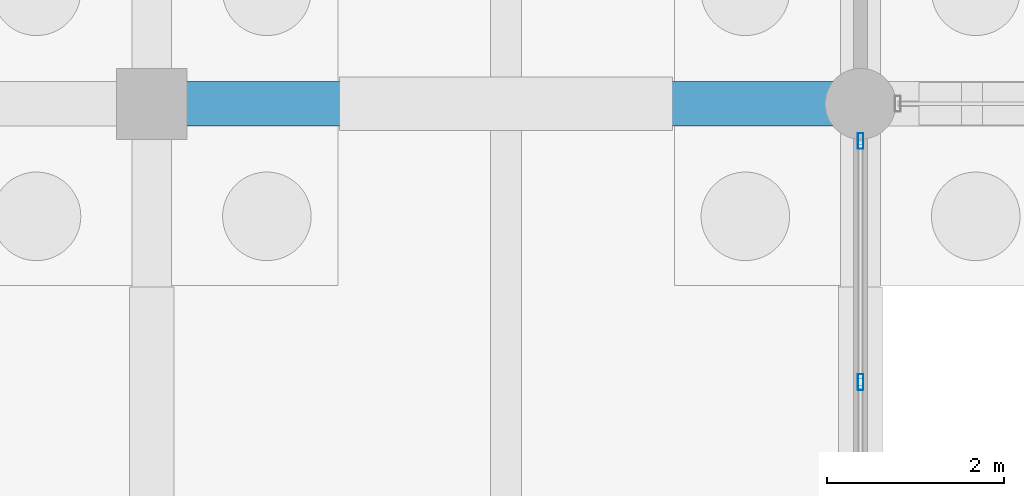
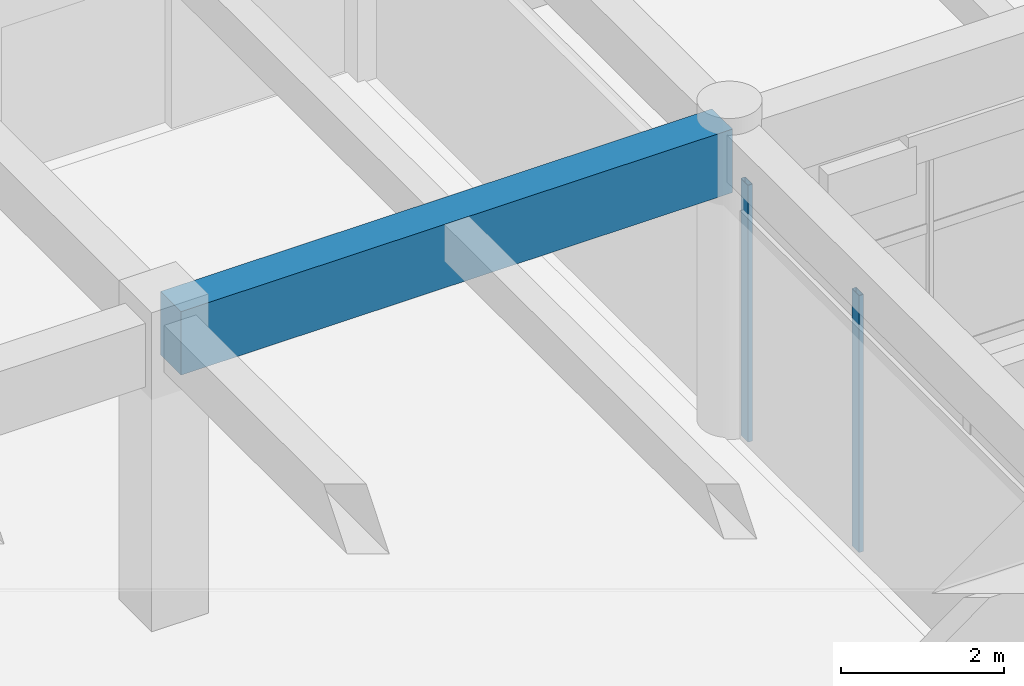
# One storey, part 37 of 147: 2 members, 1 beam, 1 element without a shape of its own.
"""IFC4 building model written with IfcOpenShell, lengths in metres."""

from ifc_helpers import new_model, si_unit, direction, frame, origin, origin_2d, place, context, subcontext, project, spatial, rectangle, hollow_rectangle, extrude, material, material_profile, profile_set, type_object, element, aggregate, save


model = new_model("IFC4")

# Units and contexts
model_context = context("Model", 3, precision=1e-05, world=origin(), true_north=direction((0.0, 1.0)))
body_context = subcontext(model_context, "Body", "Model", "MODEL_VIEW")
ifc_project = project(units=[si_unit("LENGTHUNIT", "METRE"), si_unit("AREAUNIT", "SQUARE_METRE"), si_unit("VOLUMEUNIT", "CUBIC_METRE"), si_unit("PLANEANGLEUNIT", "RADIAN"), si_unit("MASSUNIT", "GRAM", prefix="KILO")], contexts=[model_context])

# Site, building, storey
site_placement = place(None, origin())
site = spatial("IfcSite", under=ifc_project, at=site_placement, CompositionType="ELEMENT")
building_placement = place(site_placement, origin())
building = spatial("IfcBuilding", under=site, at=building_placement, Name="Varnabhumi Central Station", CompositionType="ELEMENT")
storey_placement = place(building_placement, origin())
storey = spatial("IfcBuildingStorey", under=building, at=storey_placement, Name="L00", CompositionType="ELEMENT", Elevation=0.0)

# Beam
ifc_material_1 = material(Name="Concrete M40", Category="concrete")
ifc_material_profile_1 = material_profile(ifc_material_1, rectangle(XDim=0.5, YDim=0.949951171875, at=origin_2d()), Name="Concrete M40", Category="concrete")
ifc_profile_set_1 = profile_set([ifc_material_profile_1], Name="Concrete M40")
beam_type = type_object("IfcBeamType", Name="BM-RC-500x950", PredefinedType="BEAM", material=ifc_profile_set_1)
beam_placement = place(storey_placement, frame((104.10009765625, 27.0, 4.074951171875), z_axis=(1.0, 0.0, 0.0), x_axis=(0.0, 1.0, 0.0)))
element("IfcBeam", 1, at=beam_placement, inside=storey, type_object=beam_type, Name="Beam L00-D:14-15", PredefinedType="BEAM", context=body_context, shape_type="SweptSolid", body=[
    extrude(rectangle(XDim=0.5, YDim=0.949951171875, at=origin_2d()), origin(), (0.0, 0.0, 1.0), 7.7998046875),
])

# Curtain wall, members
ifc_material_2 = material(Name="Anodised aluminium 6063-T6", Category="aluminium")
curtain_wall_type = type_object("IfcCurtainWallType", Name="CW-PATIO-LOGGIA-L0", PredefinedType="NOTDEFINED", material=ifc_material_2)
curtain_wall_placement = place(storey_placement, origin())
curtain_wall = element("IfcCurtainWall", 2, at=curtain_wall_placement, inside=storey, type_object=curtain_wall_type, Name="Curtain Wall CW-SP0E2", PredefinedType="NOTDEFINED")
ifc_material_profile_2 = material_profile(ifc_material_2, hollow_rectangle(XDim=0.06494140625, YDim=0.179931640625, WallThickness=0.00390625, InnerFilletRadius=0.001953125, OuterFilletRadius=0.006103515625, at=origin_2d()), Name="Anodised aluminium 6063-T6", Category="aluminium")
ifc_profile_set_2 = profile_set([ifc_material_profile_2], Name="Anodised aluminium 6063-T6")
member_type = type_object("IfcMemberType", Name="CW-MUL-180", PredefinedType="MULLION", material=ifc_profile_set_2)
member_1_placement = place(storey_placement, frame((112.0, 23.860107421875, 0.0), z_axis=(0.0, 0.0, 1.0), x_axis=(1.0, 0.0, 0.0)))
member_1 = element("IfcMember", 3, at=member_1_placement, type_object=member_type, Name="Curtain Wall Mullion CW-SP0E2-M3", PredefinedType="MULLION", context=body_context, shape_type="SweptSolid", body=[
    extrude(hollow_rectangle(XDim=0.06494140625, YDim=0.179931640625, WallThickness=0.00390625, InnerFilletRadius=0.001953125, OuterFilletRadius=0.006103515625, at=origin_2d()), origin(), (0.0, 0.0, 1.0), 3.840087890625),
])
member_2_placement = place(storey_placement, frame((112.0, 26.580078125, 0.0), z_axis=(0.0, 0.0, 1.0), x_axis=(1.0, 0.0, 0.0)))
member_2 = element("IfcMember", 4, at=member_2_placement, type_object=member_type, Name="Curtain Wall Mullion CW-SP0E2-M4", PredefinedType="MULLION", context=body_context, shape_type="SweptSolid", body=[
    extrude(hollow_rectangle(XDim=0.06494140625, YDim=0.179931640625, WallThickness=0.00390625, InnerFilletRadius=0.001953125, OuterFilletRadius=0.006103515625, at=origin_2d()), origin(), (0.0, 0.0, 1.0), 3.840087890625),
])
aggregate(curtain_wall, [member_1, member_2])

save(model, "model.ifc")
